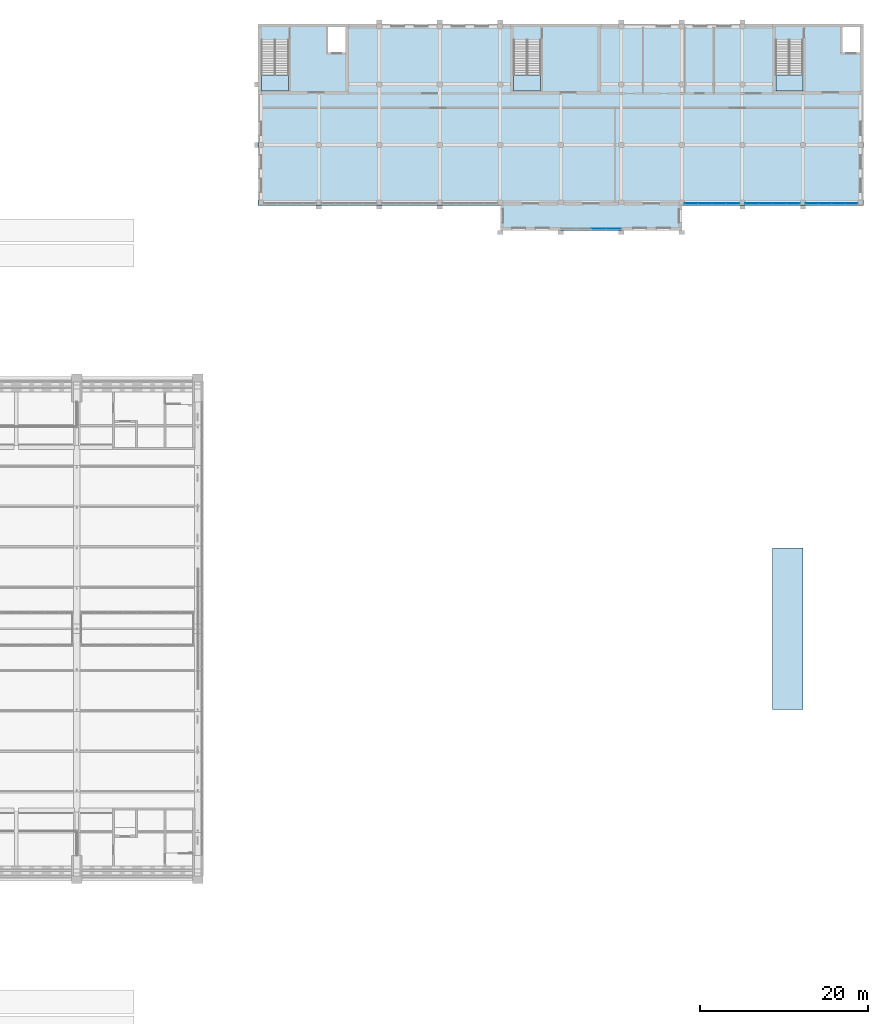
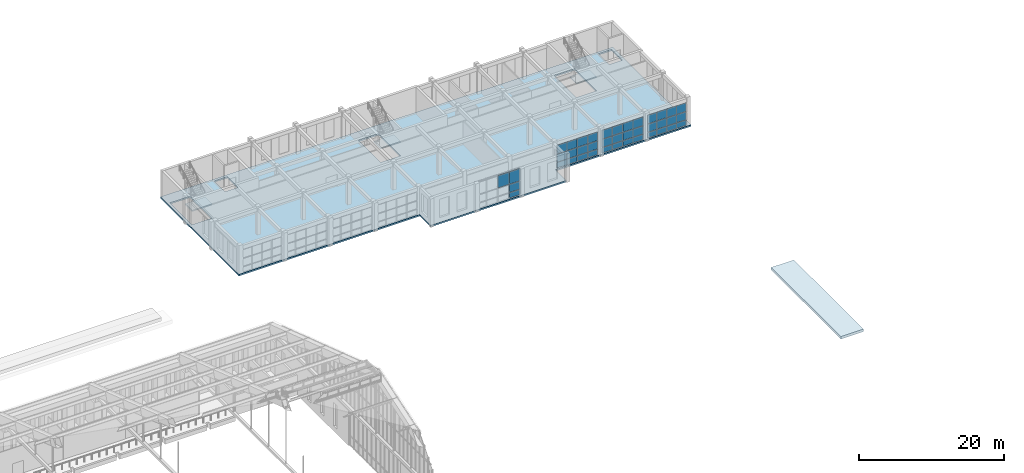
# One storey, part 120 of 149: 40 plates, 5 slabs, 7 elements without a shape of their own.
"""IFC4 building model written with IfcOpenShell, lengths in metres."""

from ifc_helpers import new_model, si_unit, direction, frame, origin, origin_2d, place, context, subcontext, project, spatial, polyline, rectangle, outline, extrude, material, layer, layer_set, type_object, element, aggregate, save


model = new_model("IFC4")

# Units and contexts
model_context = context("Model", 3, precision=1e-05, world=origin(), true_north=direction((0.0, 1.0)))
body_context = subcontext(model_context, "Body", "Model", "MODEL_VIEW")
ifc_project = project(units=[si_unit("LENGTHUNIT", "METRE"), si_unit("AREAUNIT", "SQUARE_METRE"), si_unit("VOLUMEUNIT", "CUBIC_METRE"), si_unit("PLANEANGLEUNIT", "RADIAN"), si_unit("MASSUNIT", "GRAM", prefix="KILO")], contexts=[model_context])

# Site, building, storey
site_placement = place(None, origin())
site = spatial("IfcSite", under=ifc_project, at=site_placement, CompositionType="ELEMENT")
building_placement = place(site_placement, origin())
building = spatial("IfcBuilding", under=site, at=building_placement, Name="Alderwick Market Hall", CompositionType="ELEMENT")
storey_placement = place(building_placement, frame((0.0, 0.0, 9.60009765625)))
storey = spatial("IfcBuildingStorey", under=building, at=storey_placement, Name="L01", CompositionType="ELEMENT", Elevation=9.60009765625)

# Curtain wall, plates
ifc_material_1 = material(Name="F Curtain Wall 1800 module")
curtain_wall_type = type_object("IfcCurtainWallType", Name="F Curtain Wall 1800 module", PredefinedType="NOTDEFINED", material=ifc_material_1)
curtain_wall_1_placement = place(storey_placement, origin())
curtain_wall_1 = element("IfcCurtainWall", 1, at=curtain_wall_1_placement, inside=storey, type_object=curtain_wall_type, Name="F.cw.L01.08", PredefinedType="NOTDEFINED")
ifc_material_2 = material(Name="Laminated glass 28 mm", Category="glass")
ifc_layer_1 = layer(ifc_material_2, 0.028076171875)
ifc_layer_set_1 = layer_set([ifc_layer_1], Name="Laminated glass 28 mm")
plate_type = type_object("IfcPlateType", Name="F Curtain Wall Glass Panel 28", PredefinedType="CURTAIN_PANEL", material=ifc_layer_set_1)
plate_1_placement = place(storey_placement, frame((214.860107421875, 129.800048828125, 0.06005859375), z_axis=(0.0, 0.0, 1.0), x_axis=(-1.0, 0.0, 0.0)))
plate_1 = element("IfcPlate", 2, at=plate_1_placement, type_object=plate_type, Name="F-CW panel 1.1", PredefinedType="CURTAIN_PANEL", context=body_context, shape_type="SweptSolid", body=[
    extrude(rectangle(XDim=1.56005859375, YDim=0.028076171875, at=origin_2d()), origin(), (0.0, 0.0, 1.0), 0.909912109375),
])
plate_2_placement = place(storey_placement, frame((214.860107421875, 129.800048828125, 1.02978515625), z_axis=(0.0, 0.0, 1.0), x_axis=(-1.0, 0.0, 0.0)))
plate_2 = element("IfcPlate", 3, at=plate_2_placement, type_object=plate_type, Name="F-CW panel 1.2", PredefinedType="CURTAIN_PANEL", context=body_context, shape_type="SweptSolid", body=[
    extrude(rectangle(XDim=1.56005859375, YDim=0.028076171875, at=origin_2d()), origin(), (0.0, 0.0, 1.0), 1.340087890625),
])
plate_3_placement = place(storey_placement, frame((214.860107421875, 129.800048828125, 2.429931640625), z_axis=(0.0, 0.0, 1.0), x_axis=(-1.0, 0.0, 0.0)))
plate_3 = element("IfcPlate", 4, at=plate_3_placement, type_object=plate_type, Name="F-CW panel 1.3", PredefinedType="CURTAIN_PANEL", context=body_context, shape_type="SweptSolid", body=[
    extrude(rectangle(XDim=1.56005859375, YDim=0.028076171875, at=origin_2d()), origin(), (0.0, 0.0, 1.0), 1.4599609375),
])
plate_4_placement = place(storey_placement, frame((213.22509765625, 129.800048828125, 0.06005859375), z_axis=(0.0, 0.0, 1.0), x_axis=(-1.0, 0.0, 0.0)))
plate_4 = element("IfcPlate", 5, at=plate_4_placement, type_object=plate_type, Name="F-CW panel 2.1", PredefinedType="CURTAIN_PANEL", context=body_context, shape_type="SweptSolid", body=[
    extrude(rectangle(XDim=1.590087890625, YDim=0.028076171875, at=origin_2d()), origin(), (0.0, 0.0, 1.0), 0.909912109375),
])
plate_5_placement = place(storey_placement, frame((213.22509765625, 129.800048828125, 1.02978515625), z_axis=(0.0, 0.0, 1.0), x_axis=(-1.0, 0.0, 0.0)))
plate_5 = element("IfcPlate", 6, at=plate_5_placement, type_object=plate_type, Name="F-CW panel 2.2", PredefinedType="CURTAIN_PANEL", context=body_context, shape_type="SweptSolid", body=[
    extrude(rectangle(XDim=1.590087890625, YDim=0.028076171875, at=origin_2d()), origin(), (0.0, 0.0, 1.0), 1.340087890625),
])
plate_6_placement = place(storey_placement, frame((213.22509765625, 129.800048828125, 2.429931640625), z_axis=(0.0, 0.0, 1.0), x_axis=(-1.0, 0.0, 0.0)))
plate_6 = element("IfcPlate", 7, at=plate_6_placement, type_object=plate_type, Name="F-CW panel 2.3", PredefinedType="CURTAIN_PANEL", context=body_context, shape_type="SweptSolid", body=[
    extrude(rectangle(XDim=1.590087890625, YDim=0.028076171875, at=origin_2d()), origin(), (0.0, 0.0, 1.0), 1.4599609375),
])
plate_7_placement = place(storey_placement, frame((211.574951171875, 129.800048828125, 0.06005859375), z_axis=(0.0, 0.0, 1.0), x_axis=(-1.0, 0.0, 0.0)))
plate_7 = element("IfcPlate", 8, at=plate_7_placement, type_object=plate_type, Name="F-CW panel 3.1", PredefinedType="CURTAIN_PANEL", context=body_context, shape_type="SweptSolid", body=[
    extrude(rectangle(XDim=1.590087890625, YDim=0.028076171875, at=origin_2d()), origin(), (0.0, 0.0, 1.0), 0.909912109375),
])
plate_8_placement = place(storey_placement, frame((211.574951171875, 129.800048828125, 1.02978515625), z_axis=(0.0, 0.0, 1.0), x_axis=(-1.0, 0.0, 0.0)))
plate_8 = element("IfcPlate", 9, at=plate_8_placement, type_object=plate_type, Name="F-CW panel 3.2", PredefinedType="CURTAIN_PANEL", context=body_context, shape_type="SweptSolid", body=[
    extrude(rectangle(XDim=1.590087890625, YDim=0.028076171875, at=origin_2d()), origin(), (0.0, 0.0, 1.0), 1.340087890625),
])
plate_9_placement = place(storey_placement, frame((211.574951171875, 129.800048828125, 2.429931640625), z_axis=(0.0, 0.0, 1.0), x_axis=(-1.0, 0.0, 0.0)))
plate_9 = element("IfcPlate", 10, at=plate_9_placement, type_object=plate_type, Name="F-CW panel 3.3", PredefinedType="CURTAIN_PANEL", context=body_context, shape_type="SweptSolid", body=[
    extrude(rectangle(XDim=1.590087890625, YDim=0.028076171875, at=origin_2d()), origin(), (0.0, 0.0, 1.0), 1.4599609375),
])
plate_10_placement = place(storey_placement, frame((209.93994140625, 129.800048828125, 0.06005859375), z_axis=(0.0, 0.0, 1.0), x_axis=(-1.0, 0.0, 0.0)))
plate_10 = element("IfcPlate", 11, at=plate_10_placement, type_object=plate_type, Name="F-CW panel 4.1", PredefinedType="CURTAIN_PANEL", context=body_context, shape_type="SweptSolid", body=[
    extrude(rectangle(XDim=1.56005859375, YDim=0.028076171875, at=origin_2d()), origin(), (0.0, 0.0, 1.0), 0.909912109375),
])
plate_11_placement = place(storey_placement, frame((209.93994140625, 129.800048828125, 1.02978515625), z_axis=(0.0, 0.0, 1.0), x_axis=(-1.0, 0.0, 0.0)))
plate_11 = element("IfcPlate", 12, at=plate_11_placement, type_object=plate_type, Name="F-CW panel 4.2", PredefinedType="CURTAIN_PANEL", context=body_context, shape_type="SweptSolid", body=[
    extrude(rectangle(XDim=1.56005859375, YDim=0.028076171875, at=origin_2d()), origin(), (0.0, 0.0, 1.0), 1.340087890625),
])
plate_12_placement = place(storey_placement, frame((209.93994140625, 129.800048828125, 2.429931640625), z_axis=(0.0, 0.0, 1.0), x_axis=(-1.0, 0.0, 0.0)))
plate_12 = element("IfcPlate", 13, at=plate_12_placement, type_object=plate_type, Name="F-CW panel 4.3", PredefinedType="CURTAIN_PANEL", context=body_context, shape_type="SweptSolid", body=[
    extrude(rectangle(XDim=1.56005859375, YDim=0.028076171875, at=origin_2d()), origin(), (0.0, 0.0, 1.0), 1.4599609375),
])
aggregate(curtain_wall_1, [plate_1, plate_2, plate_3, plate_4, plate_5, plate_6, plate_7, plate_8, plate_9, plate_10, plate_11, plate_12])

curtain_wall_2_placement = place(storey_placement, origin())
curtain_wall_2 = element("IfcCurtainWall", 14, at=curtain_wall_2_placement, inside=storey, type_object=curtain_wall_type, Name="F.cw.L01.09", PredefinedType="NOTDEFINED")
plate_13_placement = place(storey_placement, frame((222.06005859375, 129.800048828125, 0.06005859375), z_axis=(0.0, 0.0, 1.0), x_axis=(-1.0, 0.0, 0.0)))
plate_13 = element("IfcPlate", 15, at=plate_13_placement, type_object=plate_type, Name="F-CW panel 1.1", PredefinedType="CURTAIN_PANEL", context=body_context, shape_type="SweptSolid", body=[
    extrude(rectangle(XDim=1.56005859375, YDim=0.028076171875, at=origin_2d()), origin(), (0.0, 0.0, 1.0), 0.909912109375),
])
plate_14_placement = place(storey_placement, frame((222.06005859375, 129.800048828125, 1.02978515625), z_axis=(0.0, 0.0, 1.0), x_axis=(-1.0, 0.0, 0.0)))
plate_14 = element("IfcPlate", 16, at=plate_14_placement, type_object=plate_type, Name="F-CW panel 1.2", PredefinedType="CURTAIN_PANEL", context=body_context, shape_type="SweptSolid", body=[
    extrude(rectangle(XDim=1.56005859375, YDim=0.028076171875, at=origin_2d()), origin(), (0.0, 0.0, 1.0), 1.340087890625),
])
plate_15_placement = place(storey_placement, frame((222.06005859375, 129.800048828125, 2.429931640625), z_axis=(0.0, 0.0, 1.0), x_axis=(-1.0, 0.0, 0.0)))
plate_15 = element("IfcPlate", 17, at=plate_15_placement, type_object=plate_type, Name="F-CW panel 1.3", PredefinedType="CURTAIN_PANEL", context=body_context, shape_type="SweptSolid", body=[
    extrude(rectangle(XDim=1.56005859375, YDim=0.028076171875, at=origin_2d()), origin(), (0.0, 0.0, 1.0), 1.4599609375),
])
plate_16_placement = place(storey_placement, frame((220.425048828125, 129.800048828125, 0.06005859375), z_axis=(0.0, 0.0, 1.0), x_axis=(-1.0, 0.0, 0.0)))
plate_16 = element("IfcPlate", 18, at=plate_16_placement, type_object=plate_type, Name="F-CW panel 2.1", PredefinedType="CURTAIN_PANEL", context=body_context, shape_type="SweptSolid", body=[
    extrude(rectangle(XDim=1.590087890625, YDim=0.028076171875, at=origin_2d()), origin(), (0.0, 0.0, 1.0), 0.909912109375),
])
plate_17_placement = place(storey_placement, frame((220.425048828125, 129.800048828125, 1.02978515625), z_axis=(0.0, 0.0, 1.0), x_axis=(-1.0, 0.0, 0.0)))
plate_17 = element("IfcPlate", 19, at=plate_17_placement, type_object=plate_type, Name="F-CW panel 2.2", PredefinedType="CURTAIN_PANEL", context=body_context, shape_type="SweptSolid", body=[
    extrude(rectangle(XDim=1.590087890625, YDim=0.028076171875, at=origin_2d()), origin(), (0.0, 0.0, 1.0), 1.340087890625),
])
plate_18_placement = place(storey_placement, frame((220.425048828125, 129.800048828125, 2.429931640625), z_axis=(0.0, 0.0, 1.0), x_axis=(-1.0, 0.0, 0.0)))
plate_18 = element("IfcPlate", 20, at=plate_18_placement, type_object=plate_type, Name="F-CW panel 2.3", PredefinedType="CURTAIN_PANEL", context=body_context, shape_type="SweptSolid", body=[
    extrude(rectangle(XDim=1.590087890625, YDim=0.028076171875, at=origin_2d()), origin(), (0.0, 0.0, 1.0), 1.4599609375),
])
plate_19_placement = place(storey_placement, frame((218.77490234375, 129.800048828125, 0.06005859375), z_axis=(0.0, 0.0, 1.0), x_axis=(-1.0, 0.0, 0.0)))
plate_19 = element("IfcPlate", 21, at=plate_19_placement, type_object=plate_type, Name="F-CW panel 3.1", PredefinedType="CURTAIN_PANEL", context=body_context, shape_type="SweptSolid", body=[
    extrude(rectangle(XDim=1.590087890625, YDim=0.028076171875, at=origin_2d()), origin(), (0.0, 0.0, 1.0), 0.909912109375),
])
plate_20_placement = place(storey_placement, frame((218.77490234375, 129.800048828125, 1.02978515625), z_axis=(0.0, 0.0, 1.0), x_axis=(-1.0, 0.0, 0.0)))
plate_20 = element("IfcPlate", 22, at=plate_20_placement, type_object=plate_type, Name="F-CW panel 3.2", PredefinedType="CURTAIN_PANEL", context=body_context, shape_type="SweptSolid", body=[
    extrude(rectangle(XDim=1.590087890625, YDim=0.028076171875, at=origin_2d()), origin(), (0.0, 0.0, 1.0), 1.340087890625),
])
plate_21_placement = place(storey_placement, frame((218.77490234375, 129.800048828125, 2.429931640625), z_axis=(0.0, 0.0, 1.0), x_axis=(-1.0, 0.0, 0.0)))
plate_21 = element("IfcPlate", 23, at=plate_21_placement, type_object=plate_type, Name="F-CW panel 3.3", PredefinedType="CURTAIN_PANEL", context=body_context, shape_type="SweptSolid", body=[
    extrude(rectangle(XDim=1.590087890625, YDim=0.028076171875, at=origin_2d()), origin(), (0.0, 0.0, 1.0), 1.4599609375),
])
plate_22_placement = place(storey_placement, frame((217.139892578125, 129.800048828125, 0.06005859375), z_axis=(0.0, 0.0, 1.0), x_axis=(-1.0, 0.0, 0.0)))
plate_22 = element("IfcPlate", 24, at=plate_22_placement, type_object=plate_type, Name="F-CW panel 4.1", PredefinedType="CURTAIN_PANEL", context=body_context, shape_type="SweptSolid", body=[
    extrude(rectangle(XDim=1.56005859375, YDim=0.028076171875, at=origin_2d()), origin(), (0.0, 0.0, 1.0), 0.909912109375),
])
plate_23_placement = place(storey_placement, frame((217.139892578125, 129.800048828125, 1.02978515625), z_axis=(0.0, 0.0, 1.0), x_axis=(-1.0, 0.0, 0.0)))
plate_23 = element("IfcPlate", 25, at=plate_23_placement, type_object=plate_type, Name="F-CW panel 4.2", PredefinedType="CURTAIN_PANEL", context=body_context, shape_type="SweptSolid", body=[
    extrude(rectangle(XDim=1.56005859375, YDim=0.028076171875, at=origin_2d()), origin(), (0.0, 0.0, 1.0), 1.340087890625),
])
plate_24_placement = place(storey_placement, frame((217.139892578125, 129.800048828125, 2.429931640625), z_axis=(0.0, 0.0, 1.0), x_axis=(-1.0, 0.0, 0.0)))
plate_24 = element("IfcPlate", 26, at=plate_24_placement, type_object=plate_type, Name="F-CW panel 4.3", PredefinedType="CURTAIN_PANEL", context=body_context, shape_type="SweptSolid", body=[
    extrude(rectangle(XDim=1.56005859375, YDim=0.028076171875, at=origin_2d()), origin(), (0.0, 0.0, 1.0), 1.4599609375),
])
aggregate(curtain_wall_2, [plate_13, plate_14, plate_15, plate_16, plate_17, plate_18, plate_19, plate_20, plate_21, plate_22, plate_23, plate_24])

curtain_wall_3_placement = place(storey_placement, origin())
curtain_wall_3 = element("IfcCurtainWall", 27, at=curtain_wall_3_placement, inside=storey, type_object=curtain_wall_type, Name="F.cw.L01.10", PredefinedType="NOTDEFINED")
plate_25_placement = place(storey_placement, frame((228.953857421875, 129.800048828125, 0.06005859375), z_axis=(0.0, 0.0, 1.0), x_axis=(-1.0, 0.0, 0.0)))
plate_25 = element("IfcPlate", 28, at=plate_25_placement, type_object=plate_type, Name="F-CW panel 1.1", PredefinedType="CURTAIN_PANEL", context=body_context, shape_type="SweptSolid", body=[
    extrude(rectangle(XDim=1.472412109375, YDim=0.028076171875, at=origin_2d()), origin(), (0.0, 0.0, 1.0), 0.909912109375),
])
plate_26_placement = place(storey_placement, frame((228.953857421875, 129.800048828125, 1.02978515625), z_axis=(0.0, 0.0, 1.0), x_axis=(-1.0, 0.0, 0.0)))
plate_26 = element("IfcPlate", 29, at=plate_26_placement, type_object=plate_type, Name="F-CW panel 1.2", PredefinedType="CURTAIN_PANEL", context=body_context, shape_type="SweptSolid", body=[
    extrude(rectangle(XDim=1.472412109375, YDim=0.028076171875, at=origin_2d()), origin(), (0.0, 0.0, 1.0), 1.340087890625),
])
plate_27_placement = place(storey_placement, frame((228.953857421875, 129.800048828125, 2.429931640625), z_axis=(0.0, 0.0, 1.0), x_axis=(-1.0, 0.0, 0.0)))
plate_27 = element("IfcPlate", 30, at=plate_27_placement, type_object=plate_type, Name="F-CW panel 1.3", PredefinedType="CURTAIN_PANEL", context=body_context, shape_type="SweptSolid", body=[
    extrude(rectangle(XDim=1.472412109375, YDim=0.028076171875, at=origin_2d()), origin(), (0.0, 0.0, 1.0), 1.4599609375),
])
plate_28_placement = place(storey_placement, frame((227.40625, 129.800048828125, 0.06005859375), z_axis=(0.0, 0.0, 1.0), x_axis=(-1.0, 0.0, 0.0)))
plate_28 = element("IfcPlate", 31, at=plate_28_placement, type_object=plate_type, Name="F-CW panel 2.1", PredefinedType="CURTAIN_PANEL", context=body_context, shape_type="SweptSolid", body=[
    extrude(rectangle(XDim=1.50244140625, YDim=0.028076171875, at=origin_2d()), origin(), (0.0, 0.0, 1.0), 0.909912109375),
])
plate_29_placement = place(storey_placement, frame((227.40625, 129.800048828125, 1.02978515625), z_axis=(0.0, 0.0, 1.0), x_axis=(-1.0, 0.0, 0.0)))
plate_29 = element("IfcPlate", 32, at=plate_29_placement, type_object=plate_type, Name="F-CW panel 2.2", PredefinedType="CURTAIN_PANEL", context=body_context, shape_type="SweptSolid", body=[
    extrude(rectangle(XDim=1.50244140625, YDim=0.028076171875, at=origin_2d()), origin(), (0.0, 0.0, 1.0), 1.340087890625),
])
plate_30_placement = place(storey_placement, frame((227.40625, 129.800048828125, 2.429931640625), z_axis=(0.0, 0.0, 1.0), x_axis=(-1.0, 0.0, 0.0)))
plate_30 = element("IfcPlate", 33, at=plate_30_placement, type_object=plate_type, Name="F-CW panel 2.3", PredefinedType="CURTAIN_PANEL", context=body_context, shape_type="SweptSolid", body=[
    extrude(rectangle(XDim=1.50244140625, YDim=0.028076171875, at=origin_2d()), origin(), (0.0, 0.0, 1.0), 1.4599609375),
])
plate_31_placement = place(storey_placement, frame((225.84375, 129.800048828125, 0.06005859375), z_axis=(0.0, 0.0, 1.0), x_axis=(-1.0, 0.0, 0.0)))
plate_31 = element("IfcPlate", 34, at=plate_31_placement, type_object=plate_type, Name="F-CW panel 3.1", PredefinedType="CURTAIN_PANEL", context=body_context, shape_type="SweptSolid", body=[
    extrude(rectangle(XDim=1.50244140625, YDim=0.028076171875, at=origin_2d()), origin(), (0.0, 0.0, 1.0), 0.909912109375),
])
plate_32_placement = place(storey_placement, frame((225.84375, 129.800048828125, 1.02978515625), z_axis=(0.0, 0.0, 1.0), x_axis=(-1.0, 0.0, 0.0)))
plate_32 = element("IfcPlate", 35, at=plate_32_placement, type_object=plate_type, Name="F-CW panel 3.2", PredefinedType="CURTAIN_PANEL", context=body_context, shape_type="SweptSolid", body=[
    extrude(rectangle(XDim=1.50244140625, YDim=0.028076171875, at=origin_2d()), origin(), (0.0, 0.0, 1.0), 1.340087890625),
])
plate_33_placement = place(storey_placement, frame((225.84375, 129.800048828125, 2.429931640625), z_axis=(0.0, 0.0, 1.0), x_axis=(-1.0, 0.0, 0.0)))
plate_33 = element("IfcPlate", 36, at=plate_33_placement, type_object=plate_type, Name="F-CW panel 3.3", PredefinedType="CURTAIN_PANEL", context=body_context, shape_type="SweptSolid", body=[
    extrude(rectangle(XDim=1.50244140625, YDim=0.028076171875, at=origin_2d()), origin(), (0.0, 0.0, 1.0), 1.4599609375),
])
plate_34_placement = place(storey_placement, frame((224.296142578125, 129.800048828125, 0.06005859375), z_axis=(0.0, 0.0, 1.0), x_axis=(-1.0, 0.0, 0.0)))
plate_34 = element("IfcPlate", 37, at=plate_34_placement, type_object=plate_type, Name="F-CW panel 4.1", PredefinedType="CURTAIN_PANEL", context=body_context, shape_type="SweptSolid", body=[
    extrude(rectangle(XDim=1.472412109375, YDim=0.028076171875, at=origin_2d()), origin(), (0.0, 0.0, 1.0), 0.909912109375),
])
plate_35_placement = place(storey_placement, frame((224.296142578125, 129.800048828125, 1.02978515625), z_axis=(0.0, 0.0, 1.0), x_axis=(-1.0, 0.0, 0.0)))
plate_35 = element("IfcPlate", 38, at=plate_35_placement, type_object=plate_type, Name="F-CW panel 4.2", PredefinedType="CURTAIN_PANEL", context=body_context, shape_type="SweptSolid", body=[
    extrude(rectangle(XDim=1.472412109375, YDim=0.028076171875, at=origin_2d()), origin(), (0.0, 0.0, 1.0), 1.340087890625),
])
plate_36_placement = place(storey_placement, frame((224.296142578125, 129.800048828125, 2.429931640625), z_axis=(0.0, 0.0, 1.0), x_axis=(-1.0, 0.0, 0.0)))
plate_36 = element("IfcPlate", 39, at=plate_36_placement, type_object=plate_type, Name="F-CW panel 4.3", PredefinedType="CURTAIN_PANEL", context=body_context, shape_type="SweptSolid", body=[
    extrude(rectangle(XDim=1.472412109375, YDim=0.028076171875, at=origin_2d()), origin(), (0.0, 0.0, 1.0), 1.4599609375),
])
aggregate(curtain_wall_3, [plate_25, plate_26, plate_27, plate_28, plate_29, plate_30, plate_31, plate_32, plate_33, plate_34, plate_35, plate_36])

curtain_wall_4_placement = place(storey_placement, origin())
curtain_wall_4 = element("IfcCurtainWall", 40, at=curtain_wall_4_placement, inside=storey, type_object=curtain_wall_type, Name="F.pcw.L01.1", PredefinedType="NOTDEFINED")
plate_37_placement = place(storey_placement, frame((200.68505859375, 126.800048828125, 0.06005859375), z_axis=(0.0, 0.0, 1.0), x_axis=(-1.0, 0.0, 0.0)))
plate_37 = element("IfcPlate", 41, at=plate_37_placement, type_object=plate_type, Name="F-CW panel 1.1", PredefinedType="CURTAIN_PANEL", context=body_context, shape_type="SweptSolid", body=[
    extrude(rectangle(XDim=1.7099609375, YDim=0.028076171875, at=origin_2d()), origin(), (0.0, 0.0, 1.0), 0.909912109375),
])
plate_38_placement = place(storey_placement, frame((200.68505859375, 126.800048828125, 1.02978515625), z_axis=(0.0, 0.0, 1.0), x_axis=(-1.0, 0.0, 0.0)))
plate_38 = element("IfcPlate", 42, at=plate_38_placement, type_object=plate_type, Name="F-CW panel 1.2", PredefinedType="CURTAIN_PANEL", context=body_context, shape_type="SweptSolid", body=[
    extrude(rectangle(XDim=1.7099609375, YDim=0.028076171875, at=origin_2d()), origin(), (0.0, 0.0, 1.0), 1.340087890625),
])
plate_39_placement = place(storey_placement, frame((200.68505859375, 126.800048828125, 2.429931640625), z_axis=(0.0, 0.0, 1.0), x_axis=(-1.0, 0.0, 0.0)))
plate_39 = element("IfcPlate", 43, at=plate_39_placement, type_object=plate_type, Name="F-CW panel 1.3", PredefinedType="CURTAIN_PANEL", context=body_context, shape_type="SweptSolid", body=[
    extrude(rectangle(XDim=1.7099609375, YDim=0.028076171875, at=origin_2d()), origin(), (0.0, 0.0, 1.0), 2.06005859375),
])
plate_40_placement = place(storey_placement, frame((198.89990234375, 126.800048828125, 2.429931640625), z_axis=(0.0, 0.0, 1.0), x_axis=(-1.0, 0.0, 0.0)))
plate_40 = element("IfcPlate", 44, at=plate_40_placement, type_object=plate_type, Name="F-CW panel 2.3", PredefinedType="CURTAIN_PANEL", context=body_context, shape_type="SweptSolid", body=[
    extrude(rectangle(XDim=1.739990234375, YDim=0.028076171875, at=origin_2d()), origin(), (0.0, 0.0, 1.0), 2.06005859375),
])
aggregate(curtain_wall_4, [plate_37, plate_38, plate_39, plate_40])

# Slab
ifc_material_3 = material(Name="Concrete 4000 psi (f'c 28 MPa)", Category="concrete")
ifc_layer_2 = layer(ifc_material_3, 0.25)
ifc_layer_set_2 = layer_set([ifc_layer_2], Name="Concrete 4000 psi (f'c 28 MPa)")
slab_type_1 = type_object("IfcSlabType", Name="F Floor Slab Concrete 4000 psi 250", PredefinedType="FLOOR", material=ifc_layer_set_2)
slab_1_placement = place(storey_placement, frame((0.0, 0.0, -0.25)))
element("IfcSlab", 45, at=slab_1_placement, inside=storey, type_object=slab_type_1, Name="F.slab.L01.01", PredefinedType="FLOOR", context=body_context, shape_type="SweptSolid", body=[
    extrude(outline(polyline([(158.39990234375, 129.60009765625), (158.39990234375, 151.199951171875), (230.39990234375, 151.199951171875), (230.39990234375, 129.60009765625), (208.800048828125, 129.60009765625), (208.800048828125, 126.60009765625), (187.199951171875, 126.60009765625), (187.199951171875, 129.60009765625), (158.39990234375, 129.60009765625)]), holes=[polyline([(158.800048828125, 143.199951171875), (162.0, 143.199951171875), (162.0, 149.2900390625), (158.800048828125, 149.2900390625), (158.800048828125, 143.199951171875)]), polyline([(166.699951171875, 147.800048828125), (168.800048828125, 147.800048828125), (168.800048828125, 150.800048828125), (166.699951171875, 150.800048828125), (166.699951171875, 147.800048828125)]), polyline([(188.800048828125, 143.199951171875), (192.0, 143.199951171875), (192.0, 149.2900390625), (188.800048828125, 149.2900390625), (188.800048828125, 143.199951171875)]), polyline([(220.0, 143.199951171875), (223.199951171875, 143.199951171875), (223.199951171875, 149.2900390625), (220.0, 149.2900390625), (220.0, 143.199951171875)]), polyline([(227.89990234375, 147.800048828125), (230.0, 147.800048828125), (230.0, 150.800048828125), (227.89990234375, 150.800048828125), (227.89990234375, 147.800048828125)])]), origin(), (0.0, 0.0, 1.0), 0.25),
])

# Stair, slab
ifc_material_4 = material(Name="Concrete 5000 psi (f'c 35 MPa)", Category="concrete")
stair_type = type_object("IfcStairType", Name="F Exit Stair 1600", PredefinedType="HALF_TURN_STAIR", material=ifc_material_4)
stair_1_placement = place(storey_placement, origin())
stair_1 = element("IfcStair", 46, at=stair_1_placement, inside=storey, type_object=stair_type, Name="F.stair.L01.A", PredefinedType="HALF_TURN_STAIR")
ifc_layer_3 = layer(ifc_material_4, 0.199951171875)
ifc_layer_set_3 = layer_set([ifc_layer_3], Name="Concrete 5000 psi (f'c 35 MPa)")
slab_type_2 = type_object("IfcSlabType", Name="F Stair Landing Concrete 5000 psi 200", PredefinedType="LANDING", material=ifc_layer_set_3)
slab_2_placement = place(storey_placement, frame((0.0, 0.0, 2.199951171875)))
slab_2 = element("IfcSlab", 47, at=slab_2_placement, type_object=slab_type_2, Name="F-ST-A-L01 landing 1", PredefinedType="LANDING", context=body_context, shape_type="SweptSolid", body=[
    extrude(outline(polyline([(158.800048828125, 143.199951171875), (162.0, 143.199951171875), (162.0, 145.10009765625), (158.800048828125, 145.10009765625), (158.800048828125, 143.199951171875)])), origin(), (0.0, 0.0, 1.0), 0.199951171875),
])
aggregate(stair_1, [slab_2])

stair_2_placement = place(storey_placement, origin())
stair_2 = element("IfcStair", 48, at=stair_2_placement, inside=storey, type_object=stair_type, Name="F.stair.L01.B", PredefinedType="HALF_TURN_STAIR")
slab_3_placement = place(storey_placement, frame((0.0, 0.0, 2.199951171875)))
slab_3 = element("IfcSlab", 49, at=slab_3_placement, type_object=slab_type_2, Name="F-ST-B-L01 landing 1", PredefinedType="LANDING", context=body_context, shape_type="SweptSolid", body=[
    extrude(outline(polyline([(188.800048828125, 143.199951171875), (192.0, 143.199951171875), (192.0, 145.10009765625), (188.800048828125, 145.10009765625), (188.800048828125, 143.199951171875)])), origin(), (0.0, 0.0, 1.0), 0.199951171875),
])
aggregate(stair_2, [slab_3])

stair_3_placement = place(storey_placement, origin())
stair_3 = element("IfcStair", 50, at=stair_3_placement, inside=storey, type_object=stair_type, Name="F.stair.L01.C", PredefinedType="HALF_TURN_STAIR")
slab_4_placement = place(storey_placement, frame((0.0, 0.0, 2.199951171875)))
slab_4 = element("IfcSlab", 51, at=slab_4_placement, type_object=slab_type_2, Name="F-ST-C-L01 landing 1", PredefinedType="LANDING", context=body_context, shape_type="SweptSolid", body=[
    extrude(outline(polyline([(220.0, 143.199951171875), (223.199951171875, 143.199951171875), (223.199951171875, 145.10009765625), (220.0, 145.10009765625), (220.0, 143.199951171875)])), origin(), (0.0, 0.0, 1.0), 0.199951171875),
])
aggregate(stair_3, [slab_4])

# Slab
ifc_layer_4 = layer(ifc_material_4, 0.419921875)
ifc_layer_set_4 = layer_set([ifc_layer_4], Name="Concrete 5000 psi (f'c 35 MPa)")
slab_type_3 = type_object("IfcSlabType", Name="G Crown deck 420", PredefinedType="ROOF", material=ifc_layer_set_4)
slab_5_placement = place(storey_placement, frame((0.0, 0.0, 4.101318359375)))
element("IfcSlab", 52, at=slab_5_placement, inside=storey, type_object=slab_type_3, Name="Crown deck", PredefinedType="ROOF", context=body_context, shape_type="SweptSolid", body=[
    extrude(outline(polyline([(219.60009765625, 69.60009765625), (223.199951171875, 69.60009765625), (223.199951171875, 88.800048828125), (219.60009765625, 88.800048828125), (219.60009765625, 69.60009765625)])), origin(), (0.0, 0.0, 1.0), 0.419921875),
])

save(model, "model.ifc")
